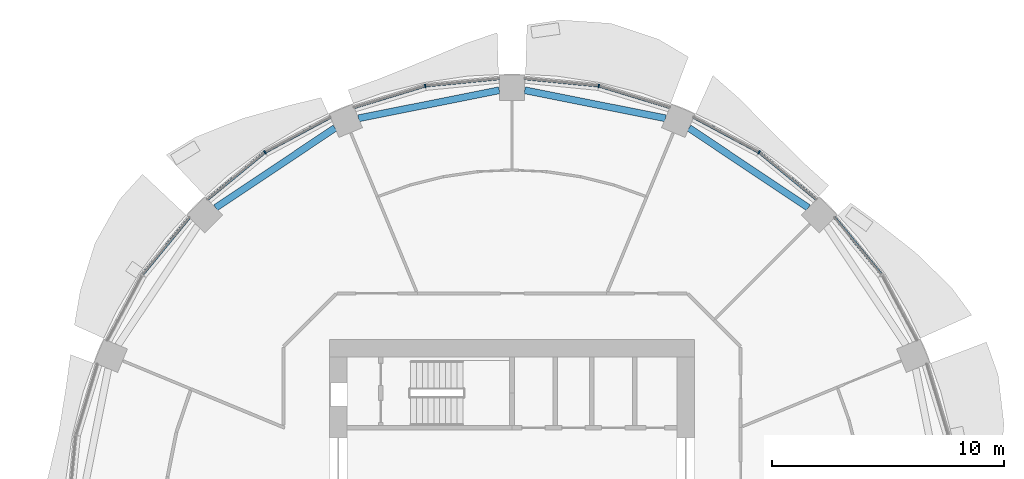
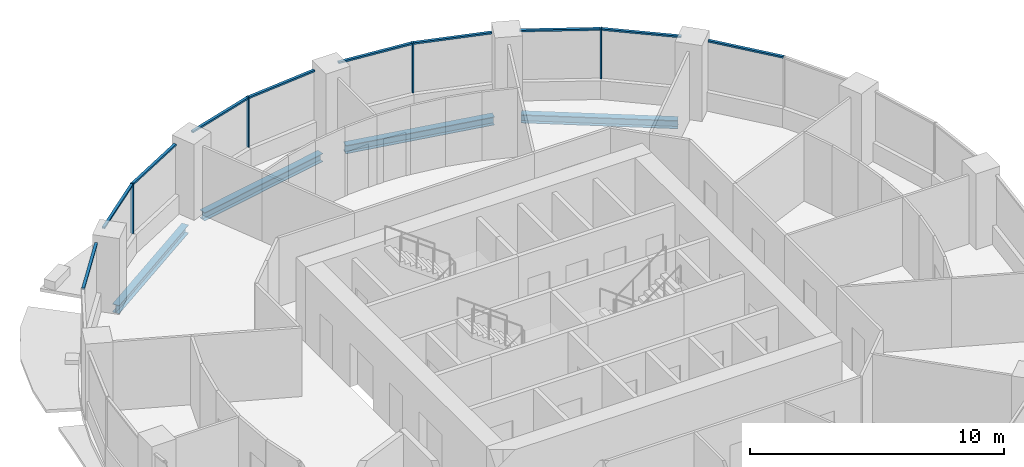
# One storey, part 6 of 15: 14 members, 4 beams, 6 elements without a shape of their own.
"""IFC4 building model written with IfcOpenShell, lengths in metres."""

import ifcopenshell
import ifcopenshell.guid

model = None  # the IFC model being written
_history = None  # IfcOwnerHistory: only IFC2X3 demands one
_inside = {}  # id of a spatial element -> (the spatial element, [elements in it])
_under = {}  # id of a project, library or spatial element -> (it, [spatial elements below it])
_declared = {}  # id of a project -> (the project, [libraries it declares])
_typed = {}  # id of a type object -> (the type object, [elements of that type])
_made_of = {}  # id of a material, layer set ... -> (it, [elements and type objects made of it])


def new_model(schema):
    """Start an empty IFC model of exactly this schema.

    Asked for "IFC4X3", IfcOpenShell would pick the latest addendum, in which some entities
    have other attributes; the version numbers below select the first issue.
    IFC2X3 requires an IfcOwnerHistory on every rooted entity: one is made here for all.
    """
    global model, _history
    if schema == "IFC4X3":
        model = ifcopenshell.file(schema_version=(4, 3, 0, 0))
    else:
        model = ifcopenshell.file(schema=schema)
    _inside.clear()
    _under.clear()
    _declared.clear()
    _typed.clear()
    _made_of.clear()
    _history = None
    if model.schema == "IFC2X3":
        org = make("IfcOrganization", Name="unknown")
        user = make(
            "IfcPersonAndOrganization",
            ThePerson=make("IfcPerson", FamilyName="unknown"),
            TheOrganization=org,
        )
        app = make(
            "IfcApplication",
            ApplicationDeveloper=org,
            Version="unknown",
            ApplicationFullName="unknown",
            ApplicationIdentifier="unknown",
        )
        _history = make(
            "IfcOwnerHistory",
            OwningUser=user,
            OwningApplication=app,
            ChangeAction="ADDED",
            CreationDate=0,
        )
    return model


def make(cls, **values):
    """One entity of the class cls with the attributes given. An attribute that is None is left unset."""
    return model.create_entity(
        cls, **{name: value for name, value in values.items() if value is not None}
    )


def rooted(cls, **values):
    """An entity with a GlobalId (a new one), such as an element, a storey or a relation."""
    return make(cls, GlobalId=ifcopenshell.guid.new(), OwnerHistory=_history, **values)


def si_unit(unit_type, name, prefix=None):
    """IfcSIUnit, for example si_unit("LENGTHUNIT", "METRE", prefix="MILLI")."""
    return make("IfcSIUnit", UnitType=unit_type, Prefix=prefix, Name=name)


def assignment(units):
    """IfcUnitAssignment: the units of a project."""
    return None if units is None else make("IfcUnitAssignment", Units=units)


def point(xyz):
    """IfcCartesianPoint."""
    return None if xyz is None else make("IfcCartesianPoint", Coordinates=xyz)


def direction(xyz):
    """IfcDirection."""
    return None if xyz is None else make("IfcDirection", DirectionRatios=xyz)


def frame(location, z_axis=None, x_axis=None):
    """IfcAxis2Placement3D, a coordinate frame: its origin and axes. An axis left out is left unset."""
    return make(
        "IfcAxis2Placement3D",
        Location=point(location),
        Axis=direction(z_axis),
        RefDirection=direction(x_axis),
    )


def frame_2d(location, x_axis=None):
    """IfcAxis2Placement2D, a coordinate frame in the plane: its origin and x axis."""
    return make(
        "IfcAxis2Placement2D", Location=point(location), RefDirection=direction(x_axis)
    )


def origin():
    """The frame at (0, 0, 0) with its axes left unset."""
    return frame((0.0, 0.0, 0.0))


def origin_2d():
    """The frame at (0, 0) in the plane with its x axis left unset."""
    return frame_2d((0.0, 0.0))


def place(relative_to, where):
    """IfcLocalPlacement: puts the frame where relative to a parent placement (None: the world)."""
    return make(
        "IfcLocalPlacement", PlacementRelTo=relative_to, RelativePlacement=where
    )


def context(
    kind, dimensions, precision=None, world=None, true_north=None, identifier=None
):
    """IfcGeometricRepresentationContext, for example the 3D "Model" context."""
    return make(
        "IfcGeometricRepresentationContext",
        ContextIdentifier=identifier,
        ContextType=kind,
        CoordinateSpaceDimension=dimensions,
        Precision=precision,
        WorldCoordinateSystem=world,
        TrueNorth=true_north,
    )


def subcontext(parent, identifier, kind, view, scale=None):
    """IfcGeometricRepresentationSubContext, for example "Body" below "Model"."""
    return make(
        "IfcGeometricRepresentationSubContext",
        ContextIdentifier=identifier,
        ContextType=kind,
        ParentContext=parent,
        TargetScale=scale,
        TargetView=view,
    )


def project(units=None, contexts=None):
    """IfcProject with its units and contexts."""
    return rooted(
        "IfcProject",
        Name="project",
        RepresentationContexts=contexts,
        UnitsInContext=assignment(units),
    )


def spatial(cls, under=None, at=None, **own):
    """A site, building, storey or space (cls), placed at a placement, below another one or the project."""
    s = rooted(cls, ObjectPlacement=at, **own)
    if under is not None:
        _under.setdefault(under.id(), (under, []))[1].append(s)
    return s


def profile(cls, at=None, kind="AREA", **sizes):
    """A parametric profile (cls). Its sizes go by their IFC names, for example OverallWidth=200.0."""
    return make(cls, ProfileType=kind, Position=at, **sizes)


def rectangle(**sizes):
    """IfcRectangleProfileDef."""
    return profile("IfcRectangleProfileDef", **sizes)


def i_section(**sizes):
    """IfcIShapeProfileDef."""
    return profile("IfcIShapeProfileDef", **sizes)


def extrude(swept, where, along, depth):
    """IfcExtrudedAreaSolid: the profile swept, set in the frame where, extruded along a direction by depth."""
    return make(
        "IfcExtrudedAreaSolid",
        SweptArea=swept,
        Position=where,
        ExtrudedDirection=direction(along),
        Depth=depth,
    )


def shape(context_of_items, identifier, shape_type, items):
    """IfcShapeRepresentation: the items that make up one representation, for example the "Body"."""
    return make(
        "IfcShapeRepresentation",
        ContextOfItems=context_of_items,
        RepresentationIdentifier=identifier,
        RepresentationType=shape_type,
        Items=items,
    )


def material(Name=None, Category=None):
    """IfcMaterial."""
    return make("IfcMaterial", Name=Name, Category=Category)


def material_profile(
    of_material, cross_section, Name=None, Category=None, Priority=None
):
    """IfcMaterialProfile: a cross section and its material."""
    return make(
        "IfcMaterialProfile",
        Name=Name,
        Material=of_material,
        Profile=cross_section,
        Priority=Priority,
        Category=Category,
    )


def profile_set(profiles, Name=None, composite=None):
    """IfcMaterialProfileSet."""
    return make(
        "IfcMaterialProfileSet",
        Name=Name,
        MaterialProfiles=profiles,
        CompositeProfile=composite,
    )


def made_of(thing, what):
    """Note that an element or type object is made of a material, layer set ...; save() writes the relation."""
    if what is not None:
        _made_of.setdefault(what.id(), (what, []))[1].append(thing)
    return thing


def type_object(cls, material=None, **own):
    """A type object (cls), such as IfcWallType, which elements share."""
    return made_of(rooted(cls, **own), material)


def element(
    cls,
    number,
    at=None,
    inside=None,
    cuts=None,
    type_object=None,
    material=None,
    context=None,
    identifier="Body",
    shape_type=None,
    held_by="IfcProductDefinitionShape",
    body=None,
    shapes=None,
    **own,
):
    """One element of the class cls, such as IfcWall. Its Tag is "e" and its number.

    at: its placement. inside: the storey or other place that contains it. cuts: it is an
    opening in that element (IfcRelVoidsElement). A single representation is given by context,
    identifier, shape_type and body (its items); several are given by shapes. held_by: the class
    of the entity that holds the representations. save() writes the other relations.
    """
    e = rooted(cls, Tag="e%d" % number, ObjectPlacement=at, **own)
    if body is not None:
        shapes = [shape(context, identifier, shape_type, body)]
    if shapes is not None:
        e.Representation = make(held_by, Representations=shapes)
    if inside is not None:
        _inside.setdefault(inside.id(), (inside, []))[1].append(e)
    if cuts is not None:
        rooted(
            "IfcRelVoidsElement", RelatingBuildingElement=cuts, RelatedOpeningElement=e
        )
    if type_object is not None:
        _typed.setdefault(type_object.id(), (type_object, []))[1].append(e)
    return made_of(e, material)


def aggregate(whole, parts):
    """IfcRelAggregates: a whole, such as a stair, and the parts it consists of."""
    return rooted("IfcRelAggregates", RelatingObject=whole, RelatedObjects=parts)


def save(model, path):
    """Write the relations noted so far, then the file.

    IfcRelAggregates (storeys below a building ...), IfcRelContainedInSpatialStructure (elements
    in a storey), IfcRelDefinesByType, IfcRelAssociatesMaterial and IfcRelDeclares: one each for
    every whole, place, type object, material and project.
    """
    for whole, parts in _under.values():
        aggregate(whole, parts)
    for where, things in _inside.values():
        rooted(
            "IfcRelContainedInSpatialStructure",
            RelatedElements=things,
            RelatingStructure=where,
        )
    for kind, things in _typed.values():
        rooted("IfcRelDefinesByType", RelatedObjects=things, RelatingType=kind)
    for what, things in _made_of.values():
        rooted("IfcRelAssociatesMaterial", RelatedObjects=things, RelatingMaterial=what)
    for by, libraries in _declared.values():
        rooted("IfcRelDeclares", RelatingContext=by, RelatedDefinitions=libraries)
    model.write(path)


model = new_model("IFC4")

# Units and contexts
model_context = context("Model", 3, precision=1e-05, world=origin(), true_north=direction((0.0, 1.0)))
body_context = subcontext(model_context, "Body", "Model", "MODEL_VIEW")
ifc_project = project(units=[si_unit("LENGTHUNIT", "METRE"), si_unit("AREAUNIT", "SQUARE_METRE"), si_unit("VOLUMEUNIT", "CUBIC_METRE"), si_unit("PLANEANGLEUNIT", "RADIAN"), si_unit("MASSUNIT", "GRAM", prefix="KILO")], contexts=[model_context])

# Site, building, storey
site_placement = place(None, origin())
site = spatial("IfcSite", under=ifc_project, at=site_placement, CompositionType="ELEMENT")
building_placement = place(site_placement, origin())
building = spatial("IfcBuilding", under=site, at=building_placement, Name="Polderwave Tower", CompositionType="ELEMENT")
storey_placement = place(building_placement, frame((0.0, 0.0, 83.699951171875)))
storey = spatial("IfcBuildingStorey", under=building, at=storey_placement, Name="L21", CompositionType="ELEMENT", Elevation=83.699951171875)

# Curtain wall, member
ifc_material_1 = material(Name="Aluminium 6063-T6 and glass", Category="aluminium")
curtain_wall_type = type_object("IfcCurtainWallType", Name="Growing floor ribbon glazing wall", PredefinedType="NOTDEFINED", material=ifc_material_1)
curtain_wall_1_placement = place(storey_placement, origin())
curtain_wall_1 = element("IfcCurtainWall", 1, at=curtain_wall_1_placement, inside=storey, type_object=curtain_wall_type, Name="CW2 L21 02", PredefinedType="NOTDEFINED")
ifc_material_2 = material(Name="Aluminium 6063-T6", Category="aluminium")
ifc_material_profile_1 = material_profile(ifc_material_2, rectangle(XDim=0.14990234375, YDim=0.06005859375, at=origin_2d()), Name="AL 60x150")
ifc_profile_set_1 = profile_set([ifc_material_profile_1], Name="Aluminium 6063-T6")
member_type_1 = type_object("IfcMemberType", Name="Growing floor ribbon glazing mullion 60x150", PredefinedType="MULLION", material=ifc_profile_set_1)
member_1_placement = place(storey_placement, frame((10.6669921875, 15.964111328125, 0.900146484375), z_axis=(0.0, 0.0, 1.0), x_axis=(-0.555607963342, -0.831444400469, 0.0)))
member_1 = element("IfcMember", 2, at=member_1_placement, type_object=member_type_1, Name="CW2 mullion 1", PredefinedType="MULLION", context=body_context, shape_type="SweptSolid", body=[
    extrude(rectangle(XDim=0.14990234375, YDim=0.06005859375, at=origin_2d()), origin(), (0.0, 0.0, 1.0), 2.39990234375),
])

curtain_wall_2_placement = place(storey_placement, origin())
curtain_wall_2 = element("IfcCurtainWall", 3, at=curtain_wall_2_placement, inside=storey, type_object=curtain_wall_type, Name="CW2 L21 03", PredefinedType="NOTDEFINED")
member_2_placement = place(storey_placement, frame((3.74609375, 18.8310546875, 0.900146484375), z_axis=(0.0, 0.0, 1.0), x_axis=(-0.195097169184, -0.980783918392, 0.0)))
member_2 = element("IfcMember", 4, at=member_2_placement, type_object=member_type_1, Name="CW2 mullion 1", PredefinedType="MULLION", context=body_context, shape_type="SweptSolid", body=[
    extrude(rectangle(XDim=0.14990234375, YDim=0.06005859375, at=origin_2d()), origin(), (0.0, 0.0, 1.0), 2.39990234375),
])

curtain_wall_3_placement = place(storey_placement, origin())
curtain_wall_3 = element("IfcCurtainWall", 5, at=curtain_wall_3_placement, inside=storey, type_object=curtain_wall_type, Name="CW2 L21 04", PredefinedType="NOTDEFINED")
member_3_placement = place(storey_placement, frame((-3.74609375, 18.8310546875, 0.900146484375), z_axis=(0.0, 0.0, 1.0), x_axis=(0.195097169184, -0.980783918392, 0.0)))
member_3 = element("IfcMember", 6, at=member_3_placement, type_object=member_type_1, Name="CW2 mullion 1", PredefinedType="MULLION", context=body_context, shape_type="SweptSolid", body=[
    extrude(rectangle(XDim=0.14990234375, YDim=0.06005859375, at=origin_2d()), origin(), (0.0, 0.0, 1.0), 2.39990234375),
])

curtain_wall_4_placement = place(storey_placement, origin())
curtain_wall_4 = element("IfcCurtainWall", 7, at=curtain_wall_4_placement, inside=storey, type_object=curtain_wall_type, Name="CW2 L21 05", PredefinedType="NOTDEFINED")
member_4_placement = place(storey_placement, frame((-10.6669921875, 15.964111328125, 0.900146484375), z_axis=(0.0, 0.0, 1.0), x_axis=(0.555607963342, -0.831444400469, 0.0)))
member_4 = element("IfcMember", 8, at=member_4_placement, type_object=member_type_1, Name="CW2 mullion 1", PredefinedType="MULLION", context=body_context, shape_type="SweptSolid", body=[
    extrude(rectangle(XDim=0.14990234375, YDim=0.06005859375, at=origin_2d()), origin(), (0.0, 0.0, 1.0), 2.39990234375),
])

curtain_wall_5_placement = place(storey_placement, origin())
curtain_wall_5 = element("IfcCurtainWall", 9, at=curtain_wall_5_placement, inside=storey, type_object=curtain_wall_type, Name="CW2 L21 01", PredefinedType="NOTDEFINED")
ifc_material_profile_2 = material_profile(ifc_material_2, rectangle(XDim=0.1201171875, YDim=0.080078125, at=origin_2d()), Name="AL 80x120")
ifc_profile_set_2 = profile_set([ifc_material_profile_2], Name="Aluminium 6063-T6")
member_type_2 = type_object("IfcMemberType", Name="Growing floor ribbon glazing transom 80x120", PredefinedType="USERDEFINED", material=ifc_profile_set_2)
member_5_placement = place(storey_placement, frame((15.945068359375, 10.690185546875, 3.260009765625), z_axis=(-0.634436573251, 0.772974924898, 0.0), x_axis=(-0.772974924898, -0.634436573251, 0.0)))
member_5 = element("IfcMember", 10, at=member_5_placement, type_object=member_type_2, Name="CW2 transom 2", ObjectType="TRANSOM", PredefinedType="USERDEFINED", context=body_context, shape_type="SweptSolid", body=[
    extrude(rectangle(XDim=0.1201171875, YDim=0.080078125, at=origin_2d()), origin(), (0.0, 0.0, 1.0), 3.180908203125),
])
aggregate(curtain_wall_5, [member_5])

# Member
member_6_placement = place(storey_placement, frame((13.14892578125, 13.927001953125, 3.260009765625), z_axis=(-0.772974924898, 0.634436573251, 0.0), x_axis=(-0.634436573251, -0.772974924898, 0.0)))
member_6 = element("IfcMember", 11, at=member_6_placement, type_object=member_type_2, Name="CW2 transom 1", ObjectType="TRANSOM", PredefinedType="USERDEFINED", context=body_context, shape_type="SweptSolid", body=[
    extrude(rectangle(XDim=0.1201171875, YDim=0.080078125, at=origin_2d()), origin(), (0.0, 0.0, 1.0), 3.180908203125),
])

member_7_placement = place(storey_placement, frame((10.640380859375, 15.97802734375, 3.260009765625), z_axis=(-0.881859599323, 0.471512085827, 0.0), x_axis=(-0.471512085827, -0.881859599323, 0.0)))
member_7 = element("IfcMember", 12, at=member_7_placement, type_object=member_type_2, Name="CW2 transom 2", ObjectType="TRANSOM", PredefinedType="USERDEFINED", context=body_context, shape_type="SweptSolid", body=[
    extrude(rectangle(XDim=0.1201171875, YDim=0.080078125, at=origin_2d()), origin(), (0.0, 0.0, 1.0), 3.18115234375),
])

aggregate(curtain_wall_1, [member_1, member_6, member_7])

member_8_placement = place(storey_placement, frame((6.819091796875, 17.89892578125, 3.260009765625), z_axis=(-0.95695596309, 0.290233155766, 0.0), x_axis=(-0.290233155766, -0.95695596309, 0.0)))
member_8 = element("IfcMember", 13, at=member_8_placement, type_object=member_type_2, Name="CW2 transom 1", ObjectType="TRANSOM", PredefinedType="USERDEFINED", context=body_context, shape_type="SweptSolid", body=[
    extrude(rectangle(XDim=0.1201171875, YDim=0.080078125, at=origin_2d()), origin(), (0.0, 0.0, 1.0), 3.181396484375),
])

member_9_placement = place(storey_placement, frame((3.716064453125, 18.833984375, 3.260009765625), z_axis=(-0.995179009769, 0.098075167681, 0.0), x_axis=(-0.098075167681, -0.995179009769, 0.0)))
member_9 = element("IfcMember", 14, at=member_9_placement, type_object=member_type_2, Name="CW2 transom 2", ObjectType="TRANSOM", PredefinedType="USERDEFINED", context=body_context, shape_type="SweptSolid", body=[
    extrude(rectangle(XDim=0.1201171875, YDim=0.080078125, at=origin_2d()), origin(), (0.0, 0.0, 1.0), 3.181396484375),
])

aggregate(curtain_wall_2, [member_2, member_8, member_9])

member_10_placement = place(storey_placement, frame((-0.550048828125, 19.14599609375, 3.260009765625), z_axis=(-0.995179009769, -0.098075167681, 0.0), x_axis=(0.098075167681, -0.995179009769, 0.0)))
member_10 = element("IfcMember", 15, at=member_10_placement, type_object=member_type_2, Name="CW2 transom 1", ObjectType="TRANSOM", PredefinedType="USERDEFINED", context=body_context, shape_type="SweptSolid", body=[
    extrude(rectangle(XDim=0.1201171875, YDim=0.080078125, at=origin_2d()), origin(), (0.0, 0.0, 1.0), 3.181396484375),
])

member_11_placement = place(storey_placement, frame((-3.774658203125, 18.822265625, 3.260009765625), z_axis=(-0.95695596309, -0.290233155766, 0.0), x_axis=(0.290233155766, -0.95695596309, 0.0)))
member_11 = element("IfcMember", 16, at=member_11_placement, type_object=member_type_2, Name="CW2 transom 2", ObjectType="TRANSOM", PredefinedType="USERDEFINED", context=body_context, shape_type="SweptSolid", body=[
    extrude(rectangle(XDim=0.1201171875, YDim=0.080078125, at=origin_2d()), origin(), (0.0, 0.0, 1.0), 3.181396484375),
])

aggregate(curtain_wall_3, [member_3, member_10, member_11])

member_12_placement = place(storey_placement, frame((-7.8349609375, 17.47802734375, 3.260009765625), z_axis=(-0.881859599323, -0.471512085827, 0.0), x_axis=(0.471512085827, -0.881859599323, 0.0)))
member_12 = element("IfcMember", 17, at=member_12_placement, type_object=member_type_2, Name="CW2 transom 1", ObjectType="TRANSOM", PredefinedType="USERDEFINED", context=body_context, shape_type="SweptSolid", body=[
    extrude(rectangle(XDim=0.1201171875, YDim=0.080078125, at=origin_2d()), origin(), (0.0, 0.0, 1.0), 3.18115234375),
])

member_13_placement = place(storey_placement, frame((-10.690185546875, 15.945068359375, 3.260009765625), z_axis=(-0.772974924898, -0.634436573251, 0.0), x_axis=(0.634436573251, -0.772974924898, 0.0)))
member_13 = element("IfcMember", 18, at=member_13_placement, type_object=member_type_2, Name="CW2 transom 2", ObjectType="TRANSOM", PredefinedType="USERDEFINED", context=body_context, shape_type="SweptSolid", body=[
    extrude(rectangle(XDim=0.1201171875, YDim=0.080078125, at=origin_2d()), origin(), (0.0, 0.0, 1.0), 3.180908203125),
])

aggregate(curtain_wall_4, [member_4, member_12, member_13])

# Curtain wall, member
curtain_wall_6_placement = place(storey_placement, origin())
curtain_wall_6 = element("IfcCurtainWall", 19, at=curtain_wall_6_placement, inside=storey, type_object=curtain_wall_type, Name="CW2 L21 06", PredefinedType="NOTDEFINED")
member_14_placement = place(storey_placement, frame((-13.927001953125, 13.14892578125, 3.260009765625), z_axis=(-0.634436573251, -0.772974924898, 0.0), x_axis=(0.772974924898, -0.634436573251, 0.0)))
member_14 = element("IfcMember", 20, at=member_14_placement, type_object=member_type_2, Name="CW2 transom 1", ObjectType="TRANSOM", PredefinedType="USERDEFINED", context=body_context, shape_type="SweptSolid", body=[
    extrude(rectangle(XDim=0.1201171875, YDim=0.080078125, at=origin_2d()), origin(), (0.0, 0.0, 1.0), 3.180908203125),
])
aggregate(curtain_wall_6, [member_14])

# Beams
ifc_material_3 = material(Name="Steel S355", Category="steel")
ifc_material_profile_3 = material_profile(ifc_material_3, i_section(OverallWidth=0.300048828125, OverallDepth=0.39990234375, WebThickness=0.013427734375, FlangeThickness=0.02392578125, at=origin_2d()), Name="HE 400 B")
ifc_profile_set_3 = profile_set([ifc_material_profile_3], Name="Steel S355")
beam_type = type_object("IfcBeamType", Name="RING BEAM HE 400 B", PredefinedType="BEAM", material=ifc_profile_set_3)
for number, where, z_axis, x_axis, name in (
    (21, (12.7919921875, 13.56982421875, -0.550048828125), (-0.831467728736, 0.555573051966, 0.0), (-0.555573051966, -0.831467728736, 0.0), "ST-RB-L21-02"),
    (22, (6.625244140625, 17.43212890625, -0.550048828125), (-0.980783284471, 0.195100355977, 0.0), (-0.195100355977, -0.980783284471, 0.0), "ST-RB-L21-03"),
    (23, (-0.550048828125, 18.640625, -0.550048828125), (-0.980783284471, -0.195100355977, 0.0), (0.195100355977, -0.980783284471, 0.0), "ST-RB-L21-04"),
    (24, (-7.6416015625, 17.01123046875, -0.550048828125), (-0.831467728736, -0.555573051966, 0.0), (0.555573051966, -0.831467728736, 0.0), "ST-RB-L21-05"),
):
    element("IfcBeam", number, at=place(storey_placement, frame(where, z_axis=z_axis, x_axis=x_axis)), inside=storey, type_object=beam_type, Name=name, PredefinedType="BEAM", context=body_context, shape_type="SweptSolid", body=[
        extrude(i_section(OverallWidth=0.300048828125, OverallDepth=0.39990234375, WebThickness=0.013427734375, FlangeThickness=0.02392578125, at=origin_2d()), origin(), (0.0, 0.0, 1.0), 6.1943359375),
    ])

save(model, "model.ifc")
